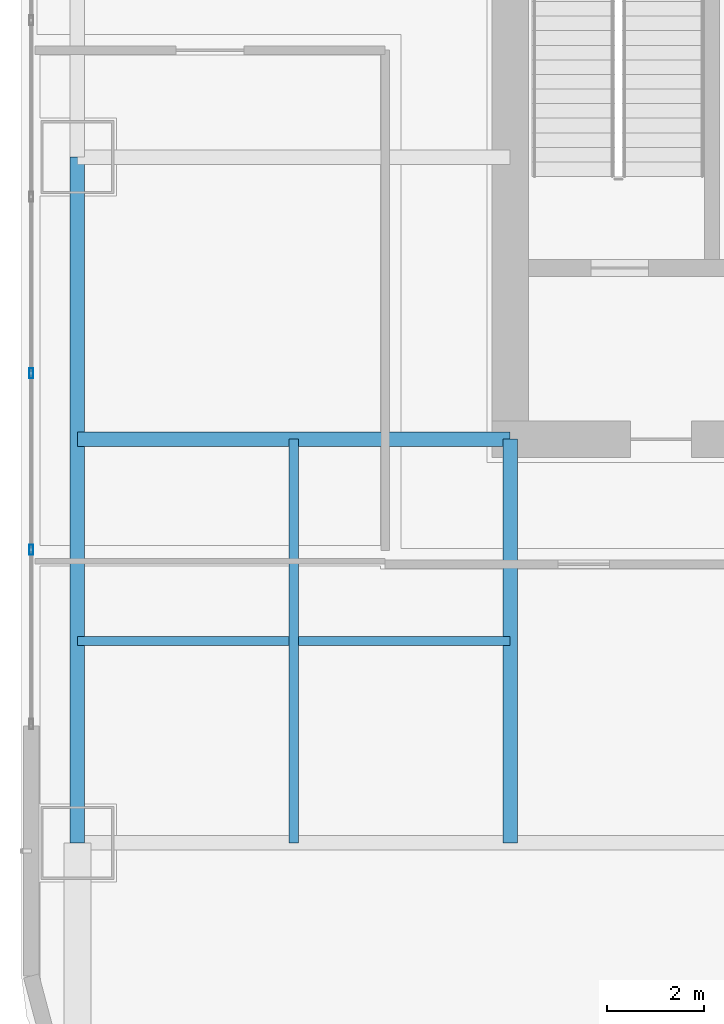
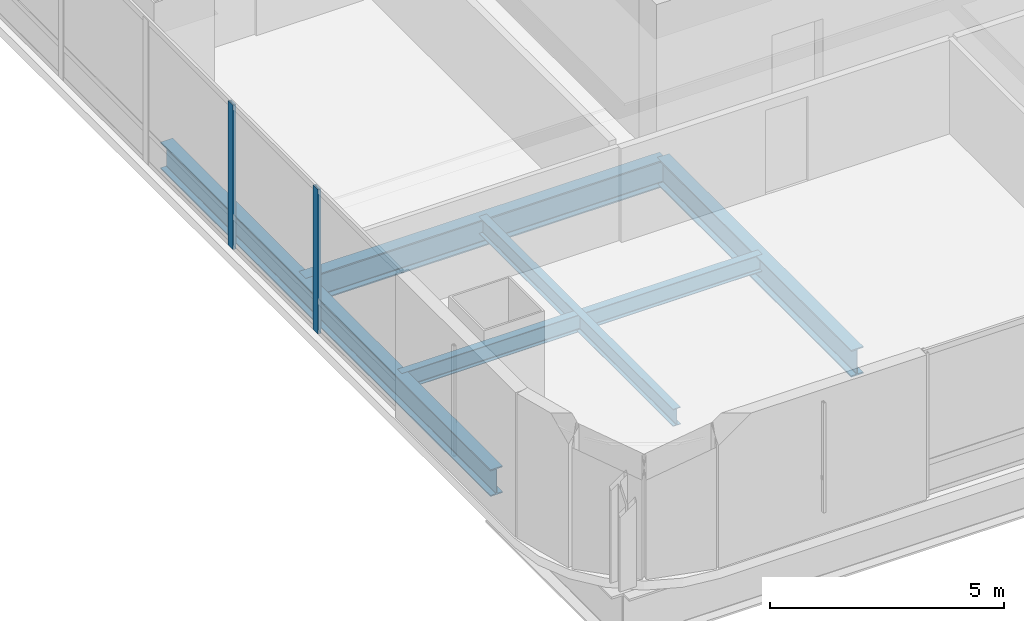
# One storey, part 3 of 42: 5 beams, 2 members, 1 element without a shape of its own.
"""IFC4 building model written with IfcOpenShell, lengths in metres."""

from ifc_helpers import new_model, si_unit, direction, frame, origin, origin_2d, place, context, subcontext, project, spatial, hollow_rectangle, i_section, extrude, material, material_profile, profile_set, type_object, element, aggregate, save


model = new_model("IFC4")

# Units and contexts
model_context = context("Model", 3, precision=1e-05, world=origin(), true_north=direction((0.0, 1.0)))
body_context = subcontext(model_context, "Body", "Model", "MODEL_VIEW")
ifc_project = project(units=[si_unit("LENGTHUNIT", "METRE"), si_unit("AREAUNIT", "SQUARE_METRE"), si_unit("VOLUMEUNIT", "CUBIC_METRE"), si_unit("PLANEANGLEUNIT", "RADIAN"), si_unit("MASSUNIT", "GRAM", prefix="KILO")], contexts=[model_context])

# Site, building, storey
site_placement = place(None, origin())
site = spatial("IfcSite", under=ifc_project, at=site_placement, CompositionType="ELEMENT")
building_placement = place(site_placement, origin())
building = spatial("IfcBuilding", under=site, at=building_placement, Name="Punatoya Terracotta Tower", CompositionType="ELEMENT")
storey_placement = place(building_placement, frame((0.0, 0.0, 88.949951171875)))
storey = spatial("IfcBuildingStorey", under=building, at=storey_placement, Name="L20", CompositionType="ELEMENT", Elevation=88.949951171875)

# Beams
ifc_material_1 = material(Name="Steel S355", Category="steel")
ifc_material_profile_1 = material_profile(ifc_material_1, i_section(OverallWidth=0.300048828125, OverallDepth=0.699951171875, WebThickness=0.01708984375, FlangeThickness=0.031982421875, FilletRadius=0.01806640625, at=origin_2d()))
ifc_profile_set_1 = profile_set([ifc_material_profile_1], Name="Steel S355")
beam_type_1 = type_object("IfcBeamType", Name="BM-PRI-700", PredefinedType="BEAM", material=ifc_profile_set_1)
beam_1_placement = place(storey_placement, frame((-19.10009765625, -17.5, -0.58984375), z_axis=(0.0, 1.0, 0.0), x_axis=(-1.0, 0.0, 0.0)))
element("IfcBeam", 1, at=beam_1_placement, inside=storey, type_object=beam_type_1, Name="BM-L20-RG-W1", PredefinedType="BEAM", context=body_context, shape_type="SweptSolid", body=[
    extrude(i_section(OverallWidth=0.300048828125, OverallDepth=0.699951171875, WebThickness=0.01708984375, FlangeThickness=0.031982421875, FilletRadius=0.01806640625, at=origin_2d()), origin(), (0.0, 0.0, 1.0), 14.10009765625),
])
beam_2_placement = place(storey_placement, frame((-19.10009765625, -9.199951171875, -0.58984375), z_axis=(1.0, 0.0, 0.0), x_axis=(0.0, 1.0, 0.0)))
element("IfcBeam", 2, at=beam_2_placement, inside=storey, type_object=beam_type_1, Name="BM-L20-PR-WS", PredefinedType="BEAM", context=body_context, shape_type="SweptSolid", body=[
    extrude(i_section(OverallWidth=0.300048828125, OverallDepth=0.699951171875, WebThickness=0.01708984375, FlangeThickness=0.031982421875, FilletRadius=0.01806640625, at=origin_2d()), origin(), (0.0, 0.0, 1.0), 8.900146484375),
])
beam_3_placement = place(storey_placement, frame((-10.199951171875, -17.5, -0.58984375), z_axis=(0.0, 1.0, 0.0), x_axis=(-1.0, 0.0, 0.0)))
element("IfcBeam", 3, at=beam_3_placement, inside=storey, type_object=beam_type_1, Name="BM-L20-PR-S1", PredefinedType="BEAM", context=body_context, shape_type="SweptSolid", body=[
    extrude(i_section(OverallWidth=0.300048828125, OverallDepth=0.699951171875, WebThickness=0.01708984375, FlangeThickness=0.031982421875, FilletRadius=0.01806640625, at=origin_2d()), origin(), (0.0, 0.0, 1.0), 8.300048828125),
])
ifc_material_profile_2 = material_profile(ifc_material_1, i_section(OverallWidth=0.18994140625, OverallDepth=0.449951171875, WebThickness=0.009521484375, FlangeThickness=0.0146484375, FilletRadius=0.01806640625, at=origin_2d()))
ifc_profile_set_2 = profile_set([ifc_material_profile_2], Name="Steel S355")
beam_type_2 = type_object("IfcBeamType", Name="BM-SEC-450", PredefinedType="JOIST", material=ifc_profile_set_2)
beam_4_placement = place(storey_placement, frame((-19.10009765625, -13.35009765625, -0.46484375), z_axis=(1.0, 0.0, 0.0), x_axis=(0.0, 1.0, 0.0)))
element("IfcBeam", 4, at=beam_4_placement, inside=storey, type_object=beam_type_2, Name="BM-L20-SJS-1", PredefinedType="JOIST", context=body_context, shape_type="SweptSolid", body=[
    extrude(i_section(OverallWidth=0.18994140625, OverallDepth=0.449951171875, WebThickness=0.009521484375, FlangeThickness=0.0146484375, FilletRadius=0.01806640625, at=origin_2d()), origin(), (0.0, 0.0, 1.0), 8.900146484375),
])
beam_5_placement = place(storey_placement, frame((-14.64990234375, -17.5, -0.46484375), z_axis=(0.0, 1.0, 0.0), x_axis=(-1.0, 0.0, 0.0)))
element("IfcBeam", 5, at=beam_5_placement, inside=storey, type_object=beam_type_2, Name="BM-L20-SJW-1", PredefinedType="JOIST", context=body_context, shape_type="SweptSolid", body=[
    extrude(i_section(OverallWidth=0.18994140625, OverallDepth=0.449951171875, WebThickness=0.009521484375, FlangeThickness=0.0146484375, FilletRadius=0.01806640625, at=origin_2d()), origin(), (0.0, 0.0, 1.0), 8.300048828125),
])

# Curtain wall, members
ifc_material_2 = material(Name="Aluminium 6063-T6 + Double Low-E Glass", Category="aluminium")
curtain_wall_type = type_object("IfcCurtainWallType", Name="CW-M1", PredefinedType="NOTDEFINED", material=ifc_material_2)
curtain_wall_placement = place(storey_placement, origin())
curtain_wall = element("IfcCurtainWall", 6, at=curtain_wall_placement, inside=storey, type_object=curtain_wall_type, Name="L20 Curtain Wall CW-L20-W13-1", PredefinedType="NOTDEFINED")
ifc_material_3 = material(Name="Aluminium 6063-T6", Category="aluminium")
ifc_material_profile_3 = material_profile(ifc_material_3, hollow_rectangle(XDim=0.074951171875, YDim=0.2099609375, WallThickness=0.00439453125, at=origin_2d()))
ifc_profile_set_3 = profile_set([ifc_material_profile_3], Name="Aluminium 6063-T6")
member_type = type_object("IfcMemberType", Name="CW-MUL-M1", PredefinedType="MULLION", material=ifc_profile_set_3)
member_1_placement = place(storey_placement, frame((-20.050048828125, -7.843017578125, 0.0), z_axis=(0.0, 0.0, 1.0), x_axis=(1.0, 0.0, 0.0)))
member_1 = element("IfcMember", 7, at=member_1_placement, type_object=member_type, Name="CW-L20-W13-1 Mullion 05", PredefinedType="MULLION", context=body_context, shape_type="SweptSolid", body=[
    extrude(hollow_rectangle(XDim=0.074951171875, YDim=0.2099609375, WallThickness=0.00439453125, at=origin_2d()), origin(), (0.0, 0.0, 1.0), 3.77001953125),
])
member_2_placement = place(storey_placement, frame((-20.050048828125, -11.471435546875, 0.0), z_axis=(0.0, 0.0, 1.0), x_axis=(1.0, 0.0, 0.0)))
member_2 = element("IfcMember", 8, at=member_2_placement, type_object=member_type, Name="CW-L20-W13-1 Mullion 06", PredefinedType="MULLION", context=body_context, shape_type="SweptSolid", body=[
    extrude(hollow_rectangle(XDim=0.074951171875, YDim=0.2099609375, WallThickness=0.00439453125, at=origin_2d()), origin(), (0.0, 0.0, 1.0), 3.77001953125),
])
aggregate(curtain_wall, [member_1, member_2])

save(model, "model.ifc")
